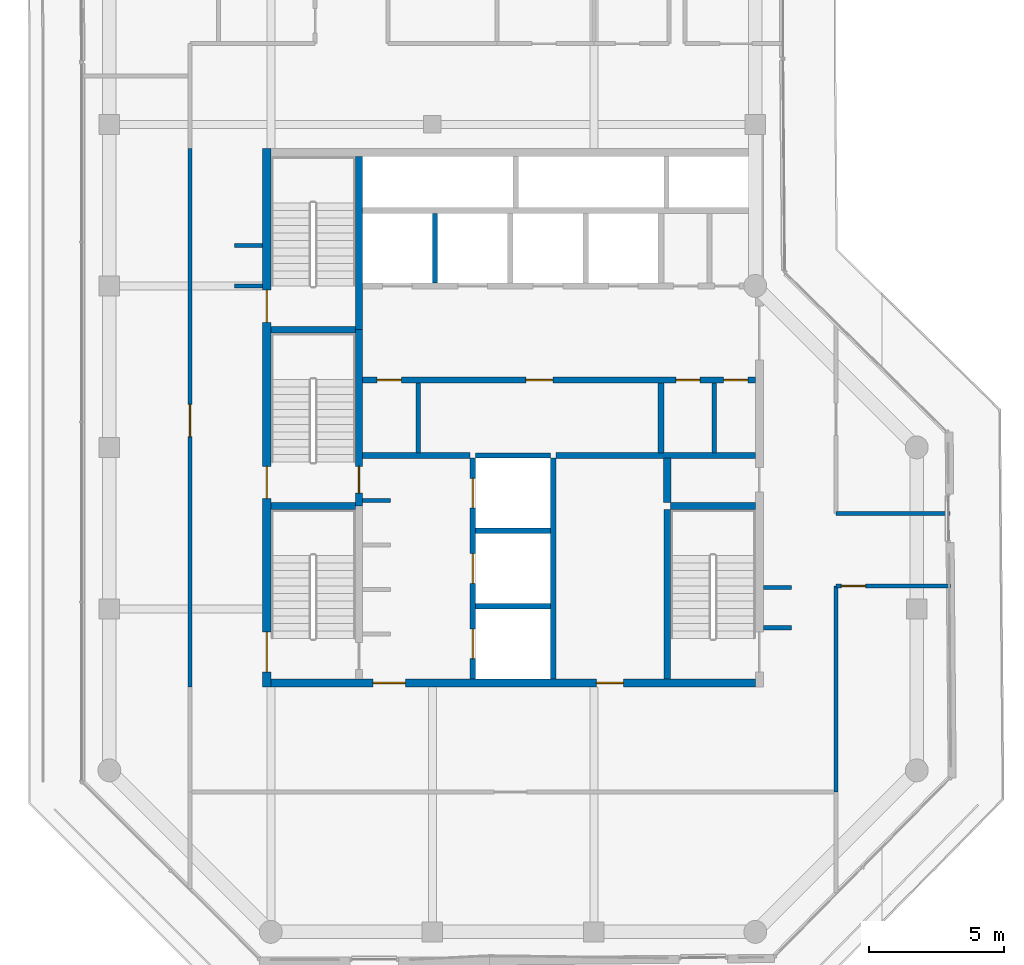
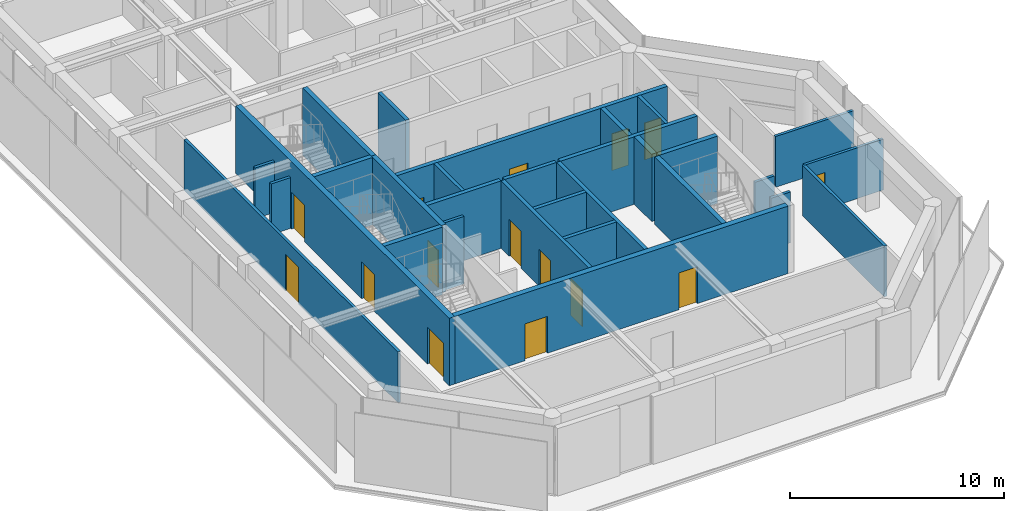
# One storey, part 14 of 18: 30 walls, 15 doors, 15 openings.
"""IFC4 building model written with IfcOpenShell, lengths in metres."""

from ifc_helpers import new_model, si_unit, direction, frame, frame_2d, origin, place, context, subcontext, project, spatial, rectangle, extrude, material, layer, layer_set, type_object, element, fill, save


model = new_model("IFC4")

# Units and contexts
model_context = context("Model", 3, precision=1e-05, world=origin(), true_north=direction((0.0, 1.0)))
body_context = subcontext(model_context, "Body", "Model", "MODEL_VIEW")
ifc_project = project(units=[si_unit("LENGTHUNIT", "METRE"), si_unit("AREAUNIT", "SQUARE_METRE"), si_unit("VOLUMEUNIT", "CUBIC_METRE"), si_unit("PLANEANGLEUNIT", "RADIAN"), si_unit("MASSUNIT", "GRAM", prefix="KILO")], contexts=[model_context])

# Site, building, storey
site_placement = place(None, origin())
site = spatial("IfcSite", under=ifc_project, at=site_placement, CompositionType="ELEMENT")
building_placement = place(site_placement, origin())
building = spatial("IfcBuilding", under=site, at=building_placement, Name="Welwitschia Terrace Campus", CompositionType="ELEMENT")
storey_placement = place(building_placement, frame((0.0, 0.0, 289.39990234375)))
storey = spatial("IfcBuildingStorey", under=building, at=storey_placement, Name="L64", CompositionType="ELEMENT", Elevation=289.39990234375)

# Walls
ifc_material_1 = material(Name="Concrete C32/40", Category="concrete")
ifc_layer_1 = layer(ifc_material_1, 0.175048828125)
ifc_layer_set_1 = layer_set([ifc_layer_1], Name="Concrete C32/40")
wall_type_1 = type_object("IfcWallType", Name="Core partition 175 Concrete C32/40", PredefinedType="PARTITIONING", material=ifc_layer_set_1)
for number, where, z_axis, x_axis, name in (
    (1, (11.47509765625, 13.800048828125, 0.0), (0.0, 0.0, 1.0), (0.0, 1.0, 0.0), "Core partition"),
    (2, (22.469970703125, 13.800048828125, 0.0), (0.0, 0.0, 1.0), (0.0, 1.0, 0.0), "Core partition"),
):
    element("IfcWall", number, at=place(storey_placement, frame(where, z_axis=z_axis, x_axis=x_axis)), inside=storey, type_object=wall_type_1, Name=name, PredefinedType="PARTITIONING", context=body_context, shape_type="SweptSolid", body=[
        extrude(rectangle(XDim=2.599853515625, YDim=0.175048828125, at=frame_2d((1.2998046875, 0.0))), origin(), (0.0, 0.0, 1.0), 3.85009765625),
    ])
ifc_material_2 = material(Name="Concrete C32/40", Category="concrete")
ifc_layer_2 = layer(ifc_material_2, 0.22509765625)
ifc_layer_set_2 = layer_set([ifc_layer_2], Name="Concrete C32/40")
wall_type_2 = type_object("IfcWallType", Name="Core partition 225 Concrete C32/40", PredefinedType="PARTITIONING", material=ifc_layer_set_2)
wall_1_placement = place(storey_placement, frame((9.39990234375, 13.699951171875, 0.0), z_axis=(0.0, 0.0, 1.0), x_axis=(1.0, 0.0, 0.0)))
element("IfcWall", 3, at=wall_1_placement, inside=storey, type_object=wall_type_2, Name="Core partition", PredefinedType="PARTITIONING", context=body_context, shape_type="SweptSolid", body=[
    extrude(rectangle(XDim=4.0, YDim=0.22509765625, at=frame_2d((2.0, 0.0))), origin(), (0.0, 0.0, 1.0), 3.85009765625),
])
wall_2_placement = place(storey_placement, frame((16.60009765625, 13.699951171875, 0.0), z_axis=(0.0, 0.0, 1.0), x_axis=(1.0, 0.0, 0.0)))
element("IfcWall", 4, at=wall_2_placement, inside=storey, type_object=wall_type_2, Name="Core partition", PredefinedType="PARTITIONING", context=body_context, shape_type="SweptSolid", body=[
    extrude(rectangle(XDim=7.39990234375, YDim=0.22509765625, at=frame_2d((3.699951171875, 0.0))), origin(), (0.0, 0.0, 1.0), 3.85009765625),
])

# Wall, openings, doors
wall_3_placement = place(storey_placement, frame((9.39990234375, 16.5, 0.0), z_axis=(0.0, 0.0, 1.0), x_axis=(1.0, 0.0, 0.0)))
wall_3 = element("IfcWall", 5, at=wall_3_placement, inside=storey, type_object=wall_type_2, Name="Core partition", PredefinedType="PARTITIONING", context=body_context, shape_type="SweptSolid", body=[
    extrude(rectangle(XDim=14.60009765625, YDim=0.22509765625, at=frame_2d((7.300048828125, 0.0))), origin(), (0.0, 0.0, 1.0), 3.85009765625),
])
opening_1_placement = place(wall_3_placement, frame((0.550048828125, 0.0, 0.0)))
opening_1 = element("IfcOpeningElement", 6, at=opening_1_placement, cuts=wall_3, Name="Opening DR09", PredefinedType="OPENING", context=body_context, shape_type="SweptSolid", body=[
    extrude(rectangle(XDim=0.89990234375, YDim=2.10009765625, at=frame_2d((0.449951171875, 1.050048828125))), frame((0.0, 0.12255859375, 0.0), z_axis=(0.0, -1.0, 0.0), x_axis=(1.0, 0.0, 0.0)), (0.0, 0.0, 1.0), 0.2451171875),
])
opening_2_placement = place(wall_3_placement, frame((6.074951171875, 0.0, 0.0)))
opening_2 = element("IfcOpeningElement", 7, at=opening_2_placement, cuts=wall_3, Name="Opening DR10", PredefinedType="OPENING", context=body_context, shape_type="SweptSolid", body=[
    extrude(rectangle(XDim=1.0, YDim=2.10009765625, at=frame_2d((0.5, 1.050048828125))), frame((0.0, 0.12255859375, 0.0), z_axis=(0.0, -1.0, 0.0), x_axis=(1.0, 0.0, 0.0)), (0.0, 0.0, 1.0), 0.2451171875),
])
opening_3_placement = place(wall_3_placement, frame((11.6474609375, 0.0, 0.0)))
opening_3 = element("IfcOpeningElement", 8, at=opening_3_placement, cuts=wall_3, Name="Opening DR09", PredefinedType="OPENING", context=body_context, shape_type="SweptSolid", body=[
    extrude(rectangle(XDim=0.89990234375, YDim=2.10009765625, at=frame_2d((0.449951171875, 1.050048828125))), frame((0.0, 0.12255859375, 0.0), z_axis=(0.0, -1.0, 0.0), x_axis=(1.0, 0.0, 0.0)), (0.0, 0.0, 1.0), 0.2451171875),
])
opening_4_placement = place(wall_3_placement, frame((13.422607421875, 0.0, 0.0)))
opening_4 = element("IfcOpeningElement", 9, at=opening_4_placement, cuts=wall_3, Name="Opening DR09", PredefinedType="OPENING", context=body_context, shape_type="SweptSolid", body=[
    extrude(rectangle(XDim=0.89990234375, YDim=2.10009765625, at=frame_2d((0.449951171875, 1.050048828125))), frame((0.0, 0.12255859375, 0.0), z_axis=(0.0, -1.0, 0.0), x_axis=(1.0, 0.0, 0.0)), (0.0, 0.0, 1.0), 0.2451171875),
])
ifc_material_3 = material(Name="Steel S275", Category="steel")
door_type_1 = type_object("IfcDoorType", Name="Core door DR09", OperationType="SINGLE_SWING_LEFT", PredefinedType="DOOR", material=ifc_material_3)
door_1_placement = place(opening_1_placement, origin())
door_1 = element("IfcDoor", 10, at=door_1_placement, inside=storey, type_object=door_type_1, Name="Door BAYL1-D", OperationType="SINGLE_SWING_LEFT", OverallHeight=2.10009765625, OverallWidth=0.89990234375, PredefinedType="DOOR", context=body_context, shape_type="SweptSolid", body=[
    extrude(rectangle(XDim=0.89990234375, YDim=2.10009765625, at=frame_2d((0.449951171875, 1.050048828125))), frame((0.0, 0.02490234375, 0.0), z_axis=(0.0, -1.0, 0.0), x_axis=(1.0, 0.0, 0.0)), (0.0, 0.0, 1.0), 0.050048828125),
])
fill(opening_1, door_1)
door_2_placement = place(opening_3_placement, origin())
door_2 = element("IfcDoor", 11, at=door_2_placement, inside=storey, type_object=door_type_1, Name="Door EL1-D", OperationType="SINGLE_SWING_RIGHT", OverallHeight=2.10009765625, OverallWidth=0.89990234375, PredefinedType="DOOR", context=body_context, shape_type="SweptSolid", body=[
    extrude(rectangle(XDim=0.89990234375, YDim=2.10009765625, at=frame_2d((0.449951171875, 1.050048828125))), frame((0.0, 0.02490234375, 0.0), z_axis=(0.0, -1.0, 0.0), x_axis=(1.0, 0.0, 0.0)), (0.0, 0.0, 1.0), 0.050048828125),
])
fill(opening_3, door_2)
door_3_placement = place(opening_4_placement, origin())
door_3 = element("IfcDoor", 12, at=door_3_placement, inside=storey, type_object=door_type_1, Name="Door EL2-D", OperationType="SINGLE_SWING_RIGHT", OverallHeight=2.10009765625, OverallWidth=0.89990234375, PredefinedType="DOOR", context=body_context, shape_type="SweptSolid", body=[
    extrude(rectangle(XDim=0.89990234375, YDim=2.10009765625, at=frame_2d((0.449951171875, 1.050048828125))), frame((0.0, 0.02490234375, 0.0), z_axis=(0.0, -1.0, 0.0), x_axis=(1.0, 0.0, 0.0)), (0.0, 0.0, 1.0), 0.050048828125),
])
fill(opening_4, door_3)
ifc_material_4 = material(Name="Steel S275", Category="steel")
door_type_2 = type_object("IfcDoorType", Name="Core door DR10", OperationType="SINGLE_SWING_LEFT", PredefinedType="DOOR", material=ifc_material_4)
door_4_placement = place(opening_2_placement, origin())
door_4 = element("IfcDoor", 13, at=door_4_placement, inside=storey, type_object=door_type_2, Name="Door BAYL2-D", OperationType="SINGLE_SWING_LEFT", OverallHeight=2.10009765625, OverallWidth=1.0, PredefinedType="DOOR", context=body_context, shape_type="SweptSolid", body=[
    extrude(rectangle(XDim=1.0, YDim=2.10009765625, at=frame_2d((0.5, 1.050048828125))), frame((0.0, 0.02490234375, 0.0), z_axis=(0.0, -1.0, 0.0), x_axis=(1.0, 0.0, 0.0)), (0.0, 0.0, 1.0), 0.050048828125),
])
fill(opening_2, door_4)

# Walls
wall_4_placement = place(storey_placement, frame((20.5, 13.800048828125, 0.0), z_axis=(0.0, 0.0, 1.0), x_axis=(0.0, 1.0, 0.0)))
element("IfcWall", 14, at=wall_4_placement, inside=storey, type_object=wall_type_2, Name="Core partition", PredefinedType="PARTITIONING", context=body_context, shape_type="SweptSolid", body=[
    extrude(rectangle(XDim=2.599853515625, YDim=0.22509765625, at=frame_2d((1.2998046875, 0.0))), origin(), (0.0, 0.0, 1.0), 3.85009765625),
])
ifc_material_5 = material(Name="Concrete C32/40", Category="concrete")
ifc_layer_3 = layer(ifc_material_5, 0.27490234375)
ifc_layer_set_3 = layer_set([ifc_layer_3], Name="Concrete C32/40")
wall_type_3 = type_object("IfcWallType", Name="Core partition 275 Concrete C32/40", PredefinedType="PARTITIONING", material=ifc_layer_set_3)
wall_5_placement = place(storey_placement, frame((20.72509765625, 11.949951171875, 0.0), z_axis=(0.0, 0.0, 1.0), x_axis=(0.0, 1.0, 0.0)))
element("IfcWall", 15, at=wall_5_placement, inside=storey, type_object=wall_type_3, Name="Core partition", PredefinedType="PARTITIONING", context=body_context, shape_type="SweptSolid", body=[
    extrude(rectangle(XDim=1.650146484375, YDim=0.27490234375, at=frame_2d((0.8251953125, 0.0))), origin(), (0.0, 0.0, 1.0), 3.85009765625),
])
ifc_material_6 = material(Name="Concrete C50/60", Category="concrete")
ifc_layer_4 = layer(ifc_material_6, 0.14990234375)
ifc_layer_set_4 = layer_set([ifc_layer_4], Name="Concrete C50/60")
wall_type_4 = type_object("IfcWallType", Name="Core wall 150 Concrete C50/60", PredefinedType="SHEAR", material=ifc_layer_set_4)
wall_6_placement = place(storey_placement, frame((9.39990234375, 12.02490234375, 0.0), z_axis=(0.0, 0.0, 1.0), x_axis=(1.0, 0.0, 0.0)))
element("IfcWall", 16, at=wall_6_placement, inside=storey, type_object=wall_type_4, Name="Core wall", PredefinedType="SHEAR", context=body_context, shape_type="SweptSolid", body=[
    extrude(rectangle(XDim=1.050048828125, YDim=0.14990234375, at=frame_2d((0.52490234375, 0.0))), origin(), (0.0, 0.0, 1.0), 3.85009765625),
])
ifc_material_7 = material(Name="Concrete C50/60", Category="concrete")
ifc_layer_5 = layer(ifc_material_7, 0.199951171875)
ifc_layer_set_5 = layer_set([ifc_layer_5], Name="Concrete C50/60")
wall_type_5 = type_object("IfcWallType", Name="Core wall 200 Concrete C50/60", PredefinedType="SHEAR", material=ifc_layer_set_5)
for number, where, z_axis, x_axis, name in (
    (17, (13.60009765625, 8.10009765625, 0.0), (0.0, 0.0, 1.0), (1.0, 0.0, 0.0), "Core wall"),
    (18, (13.60009765625, 10.89990234375, 0.0), (0.0, 0.0, 1.0), (1.0, 0.0, 0.0), "Core wall"),
    (19, (13.60009765625, 13.699951171875, 0.0), (0.0, 0.0, 1.0), (1.0, 0.0, 0.0), "Core wall"),
):
    element("IfcWall", number, at=place(storey_placement, frame(where, z_axis=z_axis, x_axis=x_axis)), inside=storey, type_object=wall_type_5, Name=name, PredefinedType="SHEAR", context=body_context, shape_type="SweptSolid", body=[
        extrude(rectangle(XDim=2.7998046875, YDim=0.199951171875, at=frame_2d((1.39990234375, 0.0))), origin(), (0.0, 0.0, 1.0), 3.85009765625),
    ])

# Wall, openings, doors
wall_7_placement = place(storey_placement, frame((13.5, 5.39990234375, 0.0), z_axis=(0.0, 0.0, 1.0), x_axis=(0.0, 1.0, 0.0)))
wall_7 = element("IfcWall", 20, at=wall_7_placement, inside=storey, type_object=wall_type_5, Name="Core wall", PredefinedType="SHEAR", context=body_context, shape_type="SweptSolid", body=[
    extrude(rectangle(XDim=8.2001953125, YDim=0.199951171875, at=frame_2d((4.10009765625, 0.0))), origin(), (0.0, 0.0, 1.0), 3.85009765625),
])
opening_5_placement = place(wall_7_placement, frame((0.75, 0.0, 0.0)))
opening_5 = element("IfcOpeningElement", 21, at=opening_5_placement, cuts=wall_7, Name="Opening LD", PredefinedType="OPENING", context=body_context, shape_type="SweptSolid", body=[
    extrude(rectangle(XDim=1.10009765625, YDim=2.10009765625, at=frame_2d((0.550048828125, 1.050048828125))), frame((0.0, 0.10986328125, 0.0), z_axis=(0.0, -1.0, 0.0), x_axis=(1.0, 0.0, 0.0)), (0.0, 0.0, 1.0), 0.219970703125),
])
opening_6_placement = place(wall_7_placement, frame((3.550048828125, 0.0, 0.0)))
opening_6 = element("IfcOpeningElement", 22, at=opening_6_placement, cuts=wall_7, Name="Opening LD", PredefinedType="OPENING", context=body_context, shape_type="SweptSolid", body=[
    extrude(rectangle(XDim=1.10009765625, YDim=2.10009765625, at=frame_2d((0.550048828125, 1.050048828125))), frame((0.0, 0.10986328125, 0.0), z_axis=(0.0, -1.0, 0.0), x_axis=(1.0, 0.0, 0.0)), (0.0, 0.0, 1.0), 0.219970703125),
])
opening_7_placement = place(wall_7_placement, frame((6.35009765625, 0.0, 0.0)))
opening_7 = element("IfcOpeningElement", 23, at=opening_7_placement, cuts=wall_7, Name="Opening LD", PredefinedType="OPENING", context=body_context, shape_type="SweptSolid", body=[
    extrude(rectangle(XDim=1.10009765625, YDim=2.10009765625, at=frame_2d((0.550048828125, 1.050048828125))), frame((0.0, 0.10986328125, 0.0), z_axis=(0.0, -1.0, 0.0), x_axis=(1.0, 0.0, 0.0)), (0.0, 0.0, 1.0), 0.219970703125),
])
ifc_material_8 = material(Name="Stainless steel 304", Category="steel")
door_type_3 = type_object("IfcDoorType", Name="Lift landing door", OperationType="DOUBLE_DOOR_SLIDING", PredefinedType="DOOR", material=ifc_material_8)
door_5_placement = place(opening_5_placement, origin())
door_5 = element("IfcDoor", 24, at=door_5_placement, inside=storey, type_object=door_type_3, Name="Landing door FF1", OperationType="DOUBLE_DOOR_SLIDING", OverallHeight=2.10009765625, OverallWidth=1.10009765625, PredefinedType="DOOR", context=body_context, shape_type="SweptSolid", body=[
    extrude(rectangle(XDim=1.10009765625, YDim=2.10009765625, at=frame_2d((0.550048828125, 1.050048828125))), frame((0.0, 0.02490234375, 0.0), z_axis=(0.0, -1.0, 0.0), x_axis=(1.0, 0.0, 0.0)), (0.0, 0.0, 1.0), 0.050048828125),
])
fill(opening_5, door_5)
door_6_placement = place(opening_6_placement, origin())
door_6 = element("IfcDoor", 25, at=door_6_placement, inside=storey, type_object=door_type_3, Name="Landing door FF2", OperationType="DOUBLE_DOOR_SLIDING", OverallHeight=2.10009765625, OverallWidth=1.10009765625, PredefinedType="DOOR", context=body_context, shape_type="SweptSolid", body=[
    extrude(rectangle(XDim=1.10009765625, YDim=2.10009765625, at=frame_2d((0.550048828125, 1.050048828125))), frame((0.0, 0.02490234375, 0.0), z_axis=(0.0, -1.0, 0.0), x_axis=(1.0, 0.0, 0.0)), (0.0, 0.0, 1.0), 0.050048828125),
])
fill(opening_6, door_6)
door_7_placement = place(opening_7_placement, origin())
door_7 = element("IfcDoor", 26, at=door_7_placement, inside=storey, type_object=door_type_3, Name="Landing door SV1", OperationType="DOUBLE_DOOR_SLIDING", OverallHeight=2.10009765625, OverallWidth=1.10009765625, PredefinedType="DOOR", context=body_context, shape_type="SweptSolid", body=[
    extrude(rectangle(XDim=1.10009765625, YDim=2.10009765625, at=frame_2d((0.550048828125, 1.050048828125))), frame((0.0, 0.02490234375, 0.0), z_axis=(0.0, -1.0, 0.0), x_axis=(1.0, 0.0, 0.0)), (0.0, 0.0, 1.0), 0.050048828125),
])
fill(opening_7, door_7)

# Walls
wall_8_placement = place(storey_placement, frame((16.5, 5.39990234375, 0.0), z_axis=(0.0, 0.0, 1.0), x_axis=(0.0, 1.0, 0.0)))
element("IfcWall", 27, at=wall_8_placement, inside=storey, type_object=wall_type_5, Name="Core wall", PredefinedType="SHEAR", context=body_context, shape_type="SweptSolid", body=[
    extrude(rectangle(XDim=8.2001953125, YDim=0.199951171875, at=frame_2d((4.10009765625, 0.0))), origin(), (0.0, 0.0, 1.0), 3.85009765625),
])
ifc_material_9 = material(Name="Concrete C50/60", Category="concrete")
ifc_layer_6 = layer(ifc_material_9, 0.25)
ifc_layer_set_6 = layer_set([ifc_layer_6], Name="Concrete C50/60")
wall_type_6 = type_object("IfcWallType", Name="Core wall 250 Concrete C50/60", PredefinedType="SHEAR", material=ifc_layer_set_6)
for number, where, z_axis, x_axis, name in (
    (28, (6.0, 11.824951171875, 0.0), (0.0, 0.0, 1.0), (1.0, 0.0, 0.0), "Core wall"),
    (29, (20.85009765625, 11.824951171875, 0.0), (0.0, 0.0, 1.0), (1.0, 0.0, 0.0), "Core wall"),
    (30, (6.0, 18.375, 0.0), (0.0, 0.0, 1.0), (1.0, 0.0, 0.0), "Core wall"),
):
    element("IfcWall", number, at=place(storey_placement, frame(where, z_axis=z_axis, x_axis=x_axis)), inside=storey, type_object=wall_type_6, Name=name, PredefinedType="SHEAR", context=body_context, shape_type="SweptSolid", body=[
        extrude(rectangle(XDim=3.14990234375, YDim=0.25, at=frame_2d((1.574951171875, 0.0))), origin(), (0.0, 0.0, 1.0), 3.85009765625),
    ])

# Wall, opening, door
wall_9_placement = place(storey_placement, frame((9.27490234375, 18.375, 0.0), z_axis=(0.0, 0.0, 1.0), x_axis=(0.0, -1.0, 0.0)))
wall_9 = element("IfcWall", 31, at=wall_9_placement, inside=storey, type_object=wall_type_6, Name="Core wall", PredefinedType="SHEAR", context=body_context, shape_type="SweptSolid", body=[
    extrude(rectangle(XDim=6.550048828125, YDim=0.25, at=frame_2d((3.27490234375, 0.0))), origin(), (0.0, 0.0, 1.0), 3.85009765625),
])
opening_8_placement = place(wall_9_placement, frame((5.074951171875, 0.0, 0.0)))
opening_8 = element("IfcOpeningElement", 32, at=opening_8_placement, cuts=wall_9, Name="Opening DS10", PredefinedType="OPENING", context=body_context, shape_type="SweptSolid", body=[
    extrude(rectangle(XDim=1.0, YDim=2.10009765625, at=frame_2d((0.5, 1.050048828125))), frame((0.0, 0.135009765625, 0.0), z_axis=(0.0, -1.0, 0.0), x_axis=(1.0, 0.0, 0.0)), (0.0, 0.0, 1.0), 0.27001953125),
])
ifc_material_10 = material(Name="Steel S275", Category="steel")
door_type_4 = type_object("IfcDoorType", Name="Core door DS10", OperationType="SINGLE_SWING_LEFT", PredefinedType="DOOR", material=ifc_material_10)
door_8_placement = place(opening_8_placement, origin())
door_8 = element("IfcDoor", 33, at=door_8_placement, inside=storey, type_object=door_type_4, Name="Door S3-FL", OperationType="SINGLE_SWING_RIGHT", OverallHeight=2.10009765625, OverallWidth=1.0, PredefinedType="DOOR", context=body_context, shape_type="SweptSolid", body=[
    extrude(rectangle(XDim=1.0, YDim=2.10009765625, at=frame_2d((0.5, 1.050048828125))), frame((0.0, 0.02490234375, 0.0), z_axis=(0.0, -1.0, 0.0), x_axis=(1.0, 0.0, 0.0)), (0.0, 0.0, 1.0), 0.050048828125),
])
fill(opening_8, door_8)

# Walls
wall_10_placement = place(storey_placement, frame((9.27490234375, 18.375, 0.0), z_axis=(0.0, 0.0, 1.0), x_axis=(0.0, 1.0, 0.0)))
element("IfcWall", 34, at=wall_10_placement, inside=storey, type_object=wall_type_6, Name="Core wall", PredefinedType="SHEAR", context=body_context, shape_type="SweptSolid", body=[
    extrude(rectangle(XDim=6.425048828125, YDim=0.25, at=frame_2d((3.21240234375, 0.0))), origin(), (0.0, 0.0, 1.0), 3.85009765625),
])
wall_11_placement = place(storey_placement, frame((20.72509765625, 5.39990234375, 0.0), z_axis=(0.0, 0.0, 1.0), x_axis=(0.0, 1.0, 0.0)))
element("IfcWall", 35, at=wall_11_placement, inside=storey, type_object=wall_type_6, Name="Core wall", PredefinedType="SHEAR", context=body_context, shape_type="SweptSolid", body=[
    extrude(rectangle(XDim=6.300048828125, YDim=0.25, at=frame_2d((3.14990234375, 0.0))), origin(), (0.0, 0.0, 1.0), 3.85009765625),
])

# Wall, openings, doors
ifc_material_11 = material(Name="Concrete C50/60", Category="concrete")
ifc_layer_7 = layer(ifc_material_11, 0.300048828125)
ifc_layer_set_7 = layer_set([ifc_layer_7], Name="Concrete C50/60")
wall_type_7 = type_object("IfcWallType", Name="Core wall 300 Concrete C50/60", PredefinedType="SHEAR", material=ifc_layer_set_7)
wall_12_placement = place(storey_placement, frame((5.85009765625, 5.10009765625, 0.0), z_axis=(0.0, 0.0, 1.0), x_axis=(0.0, 1.0, 0.0)))
wall_12 = element("IfcWall", 36, at=wall_12_placement, inside=storey, type_object=wall_type_7, Name="Core outer wall", PredefinedType="SHEAR", context=body_context, shape_type="SweptSolid", body=[
    extrude(rectangle(XDim=20.0, YDim=0.300048828125, at=frame_2d((10.0, 0.0))), origin(), (0.0, 0.0, 1.0), 3.85009765625),
])
opening_9_placement = place(wall_12_placement, frame((0.550048828125, 0.0, 0.0)))
opening_9 = element("IfcOpeningElement", 37, at=opening_9_placement, cuts=wall_12, Name="Opening DS15", PredefinedType="OPENING", context=body_context, shape_type="SweptSolid", body=[
    extrude(rectangle(XDim=1.5, YDim=2.10009765625, at=frame_2d((0.75, 1.050048828125))), frame((0.0, 0.159912109375, 0.0), z_axis=(0.0, -1.0, 0.0), x_axis=(1.0, 0.0, 0.0)), (0.0, 0.0, 1.0), 0.320068359375),
])
opening_10_placement = place(wall_12_placement, frame((7.0, 0.0, 0.0)))
opening_10 = element("IfcOpeningElement", 38, at=opening_10_placement, cuts=wall_12, Name="Opening DS12", PredefinedType="OPENING", context=body_context, shape_type="SweptSolid", body=[
    extrude(rectangle(XDim=1.199951171875, YDim=2.10009765625, at=frame_2d((0.60009765625, 1.050048828125))), frame((0.0, 0.159912109375, 0.0), z_axis=(0.0, -1.0, 0.0), x_axis=(1.0, 0.0, 0.0)), (0.0, 0.0, 1.0), 0.320068359375),
])
opening_11_placement = place(wall_12_placement, frame((13.550048828125, 0.0, 0.0)))
opening_11 = element("IfcOpeningElement", 39, at=opening_11_placement, cuts=wall_12, Name="Opening DS12", PredefinedType="OPENING", context=body_context, shape_type="SweptSolid", body=[
    extrude(rectangle(XDim=1.199951171875, YDim=2.10009765625, at=frame_2d((0.60009765625, 1.050048828125))), frame((0.0, 0.159912109375, 0.0), z_axis=(0.0, -1.0, 0.0), x_axis=(1.0, 0.0, 0.0)), (0.0, 0.0, 1.0), 0.320068359375),
])
ifc_material_12 = material(Name="Steel S275", Category="steel")
door_type_5 = type_object("IfcDoorType", Name="Core door DS12", OperationType="SINGLE_SWING_LEFT", PredefinedType="DOOR", material=ifc_material_12)
door_9_placement = place(opening_10_placement, origin())
door_9 = element("IfcDoor", 40, at=door_9_placement, inside=storey, type_object=door_type_5, Name="Door S3-out", OperationType="SINGLE_SWING_LEFT", OverallHeight=2.10009765625, OverallWidth=1.199951171875, PredefinedType="DOOR", context=body_context, shape_type="SweptSolid", body=[
    extrude(rectangle(XDim=1.199951171875, YDim=2.10009765625, at=frame_2d((0.60009765625, 1.050048828125))), frame((0.0, 0.02490234375, 0.0), z_axis=(0.0, -1.0, 0.0), x_axis=(1.0, 0.0, 0.0)), (0.0, 0.0, 1.0), 0.050048828125),
])
fill(opening_10, door_9)
door_10_placement = place(opening_11_placement, origin())
door_10 = element("IfcDoor", 41, at=door_10_placement, inside=storey, type_object=door_type_5, Name="Door S4-out", OperationType="SINGLE_SWING_RIGHT", OverallHeight=2.10009765625, OverallWidth=1.199951171875, PredefinedType="DOOR", context=body_context, shape_type="SweptSolid", body=[
    extrude(rectangle(XDim=1.199951171875, YDim=2.10009765625, at=frame_2d((0.60009765625, 1.050048828125))), frame((0.0, 0.02490234375, 0.0), z_axis=(0.0, -1.0, 0.0), x_axis=(1.0, 0.0, 0.0)), (0.0, 0.0, 1.0), 0.050048828125),
])
fill(opening_11, door_10)
ifc_material_13 = material(Name="Steel S275", Category="steel")
door_type_6 = type_object("IfcDoorType", Name="Core door DS15", OperationType="DOUBLE_DOOR_SINGLE_SWING", PredefinedType="DOOR", material=ifc_material_13)
door_11_placement = place(opening_9_placement, origin())
door_11 = element("IfcDoor", 42, at=door_11_placement, inside=storey, type_object=door_type_6, Name="Door S1-out", OperationType="DOUBLE_DOOR_SINGLE_SWING", OverallHeight=2.10009765625, OverallWidth=1.5, PredefinedType="DOOR", context=body_context, shape_type="SweptSolid", body=[
    extrude(rectangle(XDim=1.5, YDim=2.10009765625, at=frame_2d((0.75, 1.050048828125))), frame((0.0, 0.02490234375, 0.0), z_axis=(0.0, -1.0, 0.0), x_axis=(1.0, 0.0, 0.0)), (0.0, 0.0, 1.0), 0.050048828125),
])
fill(opening_9, door_11)

wall_13_placement = place(storey_placement, frame((24.0, 5.25, 0.0), z_axis=(0.0, 0.0, 1.0), x_axis=(-1.0, 0.0, 0.0)))
wall_13 = element("IfcWall", 43, at=wall_13_placement, inside=storey, type_object=wall_type_7, Name="Core outer wall", PredefinedType="SHEAR", context=body_context, shape_type="SweptSolid", body=[
    extrude(rectangle(XDim=18.0, YDim=0.300048828125, at=frame_2d((9.0, 0.0))), origin(), (0.0, 0.0, 1.0), 3.85009765625),
])
opening_12_placement = place(wall_13_placement, frame((13.0, 0.0, 0.0)))
opening_12 = element("IfcOpeningElement", 44, at=opening_12_placement, cuts=wall_13, Name="Opening DF12", PredefinedType="OPENING", context=body_context, shape_type="SweptSolid", body=[
    extrude(rectangle(XDim=1.199951171875, YDim=2.10009765625, at=frame_2d((0.60009765625, 1.050048828125))), frame((0.0, 0.159912109375, 0.0), z_axis=(0.0, -1.0, 0.0), x_axis=(1.0, 0.0, 0.0)), (0.0, 0.0, 1.0), 0.320068359375),
])
opening_13_placement = place(wall_13_placement, frame((4.89990234375, 0.0, 0.0)))
opening_13 = element("IfcOpeningElement", 45, at=opening_13_placement, cuts=wall_13, Name="Opening DR10", PredefinedType="OPENING", context=body_context, shape_type="SweptSolid", body=[
    extrude(rectangle(XDim=1.0, YDim=2.10009765625, at=frame_2d((0.5, 1.050048828125))), frame((0.0, 0.159912109375, 0.0), z_axis=(0.0, -1.0, 0.0), x_axis=(1.0, 0.0, 0.0)), (0.0, 0.0, 1.0), 0.320068359375),
])
ifc_material_14 = material(Name="Steel S275", Category="steel")
door_type_7 = type_object("IfcDoorType", Name="Core door DF12", OperationType="SINGLE_SWING_LEFT", PredefinedType="DOOR", material=ifc_material_14)
door_12_placement = place(opening_12_placement, origin())
door_12 = element("IfcDoor", 46, at=door_12_placement, inside=storey, type_object=door_type_7, Name="Door FL-out", OperationType="SINGLE_SWING_RIGHT", OverallHeight=2.10009765625, OverallWidth=1.199951171875, PredefinedType="DOOR", context=body_context, shape_type="SweptSolid", body=[
    extrude(rectangle(XDim=1.199951171875, YDim=2.10009765625, at=frame_2d((0.60009765625, 1.050048828125))), frame((0.0, 0.02490234375, 0.0), z_axis=(0.0, -1.0, 0.0), x_axis=(1.0, 0.0, 0.0)), (0.0, 0.0, 1.0), 0.050048828125),
])
fill(opening_12, door_12)
door_13_placement = place(opening_13_placement, origin())
door_13 = element("IfcDoor", 47, at=door_13_placement, inside=storey, type_object=door_type_2, Name="Door F1-out", OperationType="SINGLE_SWING_LEFT", OverallHeight=2.10009765625, OverallWidth=1.0, PredefinedType="DOOR", context=body_context, shape_type="SweptSolid", body=[
    extrude(rectangle(XDim=1.0, YDim=2.10009765625, at=frame_2d((0.5, 1.050048828125))), frame((0.0, 0.02490234375, 0.0), z_axis=(0.0, -1.0, 0.0), x_axis=(1.0, 0.0, 0.0)), (0.0, 0.0, 1.0), 0.050048828125),
])
fill(opening_13, door_13)

# Wall, opening, door
ifc_material_15 = material(Name="Gypsum board on steel studs", Category="steel")
ifc_layer_8 = layer(ifc_material_15, 0.14990234375)
ifc_layer_set_8 = layer_set([ifc_layer_8], Name="Gypsum board on steel studs")
wall_type_8 = type_object("IfcWallType", Name="Corridor partition 150 EI 30", PredefinedType="PARTITIONING", material=ifc_layer_set_8)
wall_14_placement = place(storey_placement, frame((3.0, 5.10009765625, 0.0), z_axis=(0.0, 0.0, 1.0), x_axis=(0.0, 1.0, 0.0)))
wall_14 = element("IfcWall", 48, at=wall_14_placement, inside=storey, type_object=wall_type_8, Name="Partition", PredefinedType="PARTITIONING", context=body_context, shape_type="SweptSolid", body=[
    extrude(rectangle(XDim=20.0, YDim=0.14990234375, at=frame_2d((10.0, 0.0))), origin(), (0.0, 0.0, 1.0), 2.900146484375),
])
opening_14_placement = place(wall_14_placement, frame((9.300048828125, 0.0, 0.0)))
opening_14 = element("IfcOpeningElement", 49, at=opening_14_placement, cuts=wall_14, Name="Opening DI12", PredefinedType="OPENING", context=body_context, shape_type="SweptSolid", body=[
    extrude(rectangle(XDim=1.199951171875, YDim=2.10009765625, at=frame_2d((0.60009765625, 1.050048828125))), frame((0.0, 0.0849609375, 0.0), z_axis=(0.0, -1.0, 0.0), x_axis=(1.0, 0.0, 0.0)), (0.0, 0.0, 1.0), 0.169921875),
])
ifc_material_16 = material(Name="Timber veneered door", Category="wood")
door_type_8 = type_object("IfcDoorType", Name="Interior door DI12", OperationType="NOTDEFINED", PredefinedType="DOOR", material=ifc_material_16)
door_14_placement = place(opening_14_placement, origin())
door_14 = element("IfcDoor", 50, at=door_14_placement, inside=storey, type_object=door_type_8, Name="Door L64 1136", OperationType="SINGLE_SWING_LEFT", OverallHeight=2.10009765625, OverallWidth=1.199951171875, PredefinedType="DOOR", context=body_context, shape_type="SweptSolid", body=[
    extrude(rectangle(XDim=1.199951171875, YDim=2.10009765625, at=frame_2d((0.60009765625, 1.050048828125))), frame((0.0, 0.02490234375, 0.0), z_axis=(0.0, -1.0, 0.0), x_axis=(1.0, 0.0, 0.0)), (0.0, 0.0, 1.0), 0.050048828125),
])
fill(opening_14, door_14)

# Walls
for number, where, z_axis, x_axis, name in (
    (51, (4.64990234375, 20.0, 0.0), (0.0, 0.0, 1.0), (1.0, 0.0, 0.0), "Partition"),
    (52, (4.64990234375, 21.5, 0.0), (0.0, 0.0, 1.0), (1.0, 0.0, 0.0), "Partition"),
    (53, (24.300048828125, 7.300048828125, 0.0), (0.0, 0.0, 1.0), (1.0, 0.0, 0.0), "Partition"),
    (54, (24.300048828125, 8.800048828125, 0.0), (0.0, 0.0, 1.0), (1.0, 0.0, 0.0), "Partition"),
):
    element("IfcWall", number, at=place(storey_placement, frame(where, z_axis=z_axis, x_axis=x_axis)), inside=storey, type_object=wall_type_8, Name=name, PredefinedType="PARTITIONING", context=body_context, shape_type="SweptSolid", body=[
        extrude(rectangle(XDim=1.050048828125, YDim=0.14990234375, at=frame_2d((0.52490234375, 0.0))), origin(), (0.0, 0.0, 1.0), 2.900146484375),
    ])
wall_15_placement = place(storey_placement, frame((27.0, 1.199951171875, 0.0), z_axis=(0.0, 0.0, 1.0), x_axis=(0.0, 1.0, 0.0)))
element("IfcWall", 55, at=wall_15_placement, inside=storey, type_object=wall_type_8, Name="Partition", PredefinedType="PARTITIONING", context=body_context, shape_type="SweptSolid", body=[
    extrude(rectangle(XDim=7.650146484375, YDim=0.14990234375, at=frame_2d((3.8251953125, 0.0))), origin(), (0.0, 0.0, 1.0), 2.900146484375),
])
wall_16_placement = place(storey_placement, frame((27.0, 11.550048828125, 0.0), z_axis=(0.0, 0.0, 1.0), x_axis=(1.0, 0.0, 0.0)))
element("IfcWall", 56, at=wall_16_placement, inside=storey, type_object=wall_type_8, Name="Partition", PredefinedType="PARTITIONING", context=body_context, shape_type="SweptSolid", body=[
    extrude(rectangle(XDim=4.237548828125, YDim=0.14990234375, at=frame_2d((2.11865234375, 0.0))), origin(), (0.0, 0.0, 1.0), 2.900146484375),
])

# Wall, opening, door
wall_17_placement = place(storey_placement, frame((31.26123046875, 8.85009765625, 0.0), z_axis=(0.0, 0.0, 1.0), x_axis=(-1.0, 0.0, 0.0)))
wall_17 = element("IfcWall", 57, at=wall_17_placement, inside=storey, type_object=wall_type_8, Name="Partition", PredefinedType="PARTITIONING", context=body_context, shape_type="SweptSolid", body=[
    extrude(rectangle(XDim=4.26123046875, YDim=0.14990234375, at=frame_2d((2.130615234375, 0.0))), origin(), (0.0, 0.0, 1.0), 2.900146484375),
])
opening_15_placement = place(wall_17_placement, frame((3.1611328125, 0.0, 0.0)))
opening_15 = element("IfcOpeningElement", 58, at=opening_15_placement, cuts=wall_17, Name="Opening DI09", PredefinedType="OPENING", context=body_context, shape_type="SweptSolid", body=[
    extrude(rectangle(XDim=0.89990234375, YDim=2.10009765625, at=frame_2d((0.449951171875, 1.050048828125))), frame((0.0, 0.0849609375, 0.0), z_axis=(0.0, -1.0, 0.0), x_axis=(1.0, 0.0, 0.0)), (0.0, 0.0, 1.0), 0.169921875),
])
ifc_material_17 = material(Name="Timber veneered door", Category="wood")
door_type_9 = type_object("IfcDoorType", Name="Interior door DI09", OperationType="NOTDEFINED", PredefinedType="DOOR", material=ifc_material_17)
door_15_placement = place(opening_15_placement, origin())
door_15 = element("IfcDoor", 59, at=door_15_placement, inside=storey, type_object=door_type_9, Name="Door L64 1151", OperationType="SINGLE_SWING_RIGHT", OverallHeight=2.10009765625, OverallWidth=0.89990234375, PredefinedType="DOOR", context=body_context, shape_type="SweptSolid", body=[
    extrude(rectangle(XDim=0.89990234375, YDim=2.10009765625, at=frame_2d((0.449951171875, 1.050048828125))), frame((0.0, 0.02490234375, 0.0), z_axis=(0.0, -1.0, 0.0), x_axis=(1.0, 0.0, 0.0)), (0.0, 0.0, 1.0), 0.050048828125),
])
fill(opening_15, door_15)

# Wall
ifc_material_18 = material(Name="Concrete C32/40", Category="concrete")
ifc_layer_9 = layer(ifc_material_18, 0.199951171875)
ifc_layer_set_9 = layer_set([ifc_layer_9], Name="Concrete C32/40")
wall_type_9 = type_object("IfcWallType", Name="Shaft wall 200 Concrete C32/40", PredefinedType="SOLIDWALL", material=ifc_layer_set_9)
wall_18_placement = place(storey_placement, frame((12.10009765625, 20.10009765625, 0.0), z_axis=(0.0, 0.0, 1.0), x_axis=(0.0, 1.0, 0.0)))
element("IfcWall", 60, at=wall_18_placement, inside=storey, type_object=wall_type_9, Name="Shaft wall", PredefinedType="SOLIDWALL", context=body_context, shape_type="SweptSolid", body=[
    extrude(rectangle(XDim=2.599853515625, YDim=0.199951171875, at=frame_2d((1.2998046875, 0.0))), origin(), (0.0, 0.0, 1.0), 3.85009765625),
])

save(model, "model.ifc")
